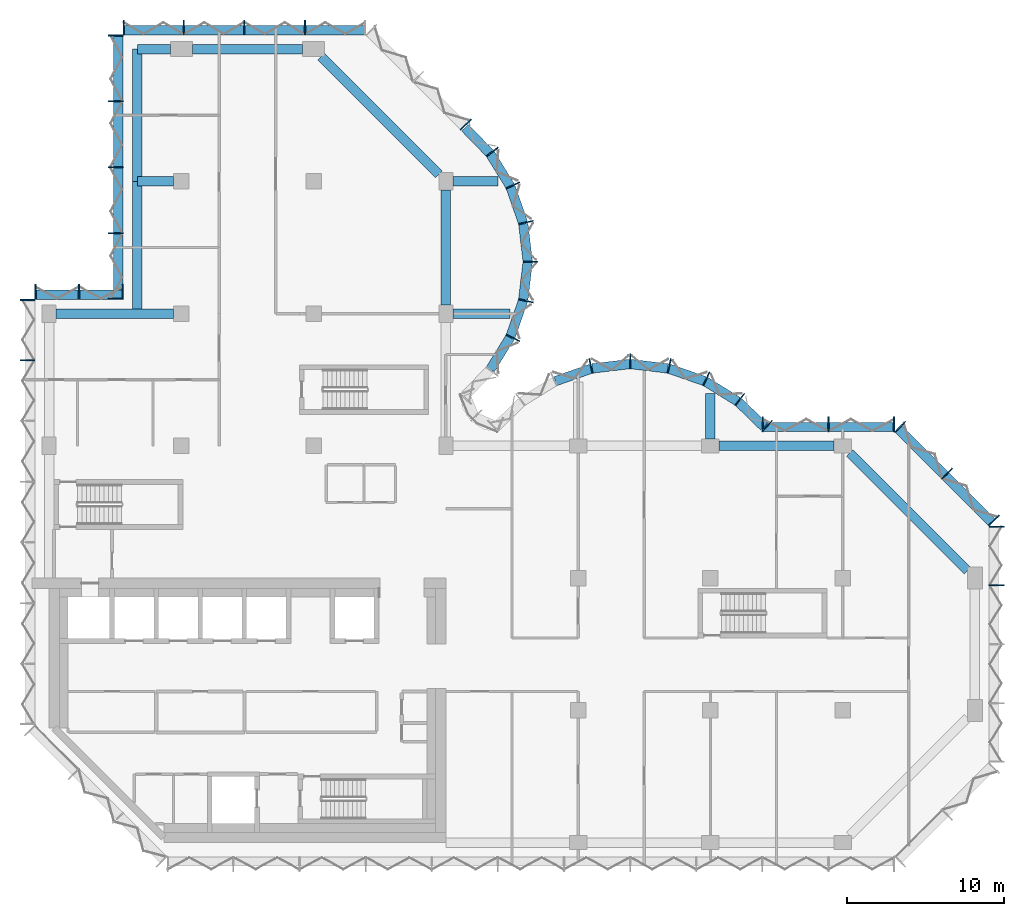
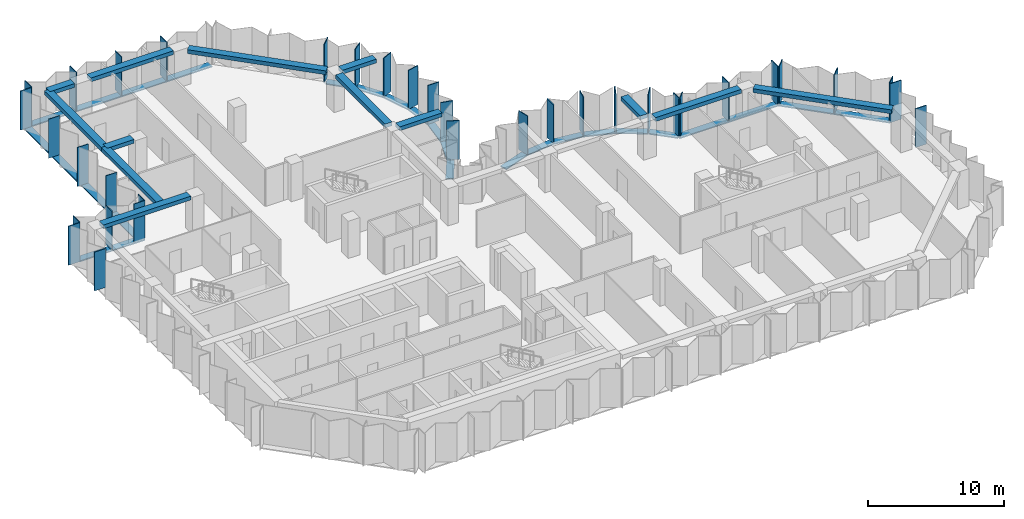
# One storey, part 2 of 10: 53 members, 13 beams, 9 elements without a shape of their own.
"""IFC4 building model written with IfcOpenShell, lengths in metres."""

from ifc_helpers import new_model, si_unit, direction, frame, origin, origin_2d, place, context, subcontext, project, spatial, rectangle, extrude, material, material_profile, profile_set, type_object, element, aggregate, save


model = new_model("IFC4")

# Units and contexts
model_context = context("Model", 3, precision=1e-05, world=origin(), true_north=direction((0.0, 1.0)))
body_context = subcontext(model_context, "Body", "Model", "MODEL_VIEW")
ifc_project = project(units=[si_unit("LENGTHUNIT", "METRE"), si_unit("AREAUNIT", "SQUARE_METRE"), si_unit("VOLUMEUNIT", "CUBIC_METRE"), si_unit("PLANEANGLEUNIT", "RADIAN"), si_unit("MASSUNIT", "GRAM", prefix="KILO")], contexts=[model_context])

# Site, building, storey
site_placement = place(None, origin())
site = spatial("IfcSite", under=ifc_project, at=site_placement, CompositionType="ELEMENT")
building_placement = place(site_placement, origin())
building = spatial("IfcBuilding", under=site, at=building_placement, Name="Brevane Broadcast Tower", CompositionType="ELEMENT")
storey_placement = place(building_placement, frame((0.0, 0.0, 170.39990234375)))
storey = spatial("IfcBuildingStorey", under=building, at=storey_placement, Name="L42", CompositionType="ELEMENT", Elevation=170.39990234375)

# Curtain wall, members
ifc_material_1 = material(Name="Aluminium 6063-T6 bronze anodised", Category="aluminium")
curtain_wall_type = type_object("IfcCurtainWallType", Name="CW-1 curtain wall", PredefinedType="NOTDEFINED", material=ifc_material_1)
curtain_wall_1_placement = place(storey_placement, origin())
curtain_wall_1 = element("IfcCurtainWall", 1, at=curtain_wall_1_placement, inside=storey, type_object=curtain_wall_type, Name="CW-1 typical tilted unit L42 east end", PredefinedType="NOTDEFINED")
ifc_material_profile_1 = material_profile(ifc_material_1, rectangle(XDim=0.949951171875, YDim=0.070068359375, at=origin_2d()), Name="RECT 70x950")
ifc_profile_set_1 = profile_set([ifc_material_profile_1], Name="Aluminium 6063-T6 bronze anodised")
member_type_1 = type_object("IfcMemberType", Name="CW-1 mullion 70x950", PredefinedType="MULLION", material=ifc_profile_set_1)
member_1_placement = place(storey_placement, frame((60.175048828125, 16.35009765625, -0.14990234375), z_axis=(0.0, 0.0, 1.0), x_axis=(-1.0, 0.0, 0.0)))
member_1 = element("IfcMember", 2, at=member_1_placement, type_object=member_type_1, Name="CW-1 mullion", PredefinedType="MULLION", context=body_context, shape_type="SweptSolid", body=[
    extrude(rectangle(XDim=0.949951171875, YDim=0.070068359375, at=origin_2d()), origin(), (0.0, 0.0, 1.0), 3.5),
])
member_2_placement = place(storey_placement, frame((60.175048828125, 20.06494140625, -0.14990234375), z_axis=(0.0, 0.0, 1.0), x_axis=(-1.0, 0.0, 0.0)))
member_2 = element("IfcMember", 3, at=member_2_placement, type_object=member_type_1, Name="CW-1 mullion", PredefinedType="MULLION", context=body_context, shape_type="SweptSolid", body=[
    extrude(rectangle(XDim=0.949951171875, YDim=0.070068359375, at=origin_2d()), origin(), (0.0, 0.0, 1.0), 3.5),
])
aggregate(curtain_wall_1, [member_1, member_2])

curtain_wall_2_placement = place(storey_placement, origin())
curtain_wall_2 = element("IfcCurtainWall", 4, at=curtain_wall_2_placement, inside=storey, type_object=curtain_wall_type, Name="CW-1 typical tilted unit L42 north-east chamfer", PredefinedType="NOTDEFINED")
member_3_placement = place(storey_placement, frame((60.01123046875, 20.460693359375, -0.14990234375), z_axis=(0.0, 0.0, 1.0), x_axis=(-0.707106781187, -0.707106781187, 0.0)))
member_3 = element("IfcMember", 5, at=member_3_placement, type_object=member_type_1, Name="CW-1 mullion", PredefinedType="MULLION", context=body_context, shape_type="SweptSolid", body=[
    extrude(rectangle(XDim=0.949951171875, YDim=0.070068359375, at=origin_2d()), origin(), (0.0, 0.0, 1.0), 3.5),
])
member_4_placement = place(storey_placement, frame((57.035888671875, 23.435791015625, -0.14990234375), z_axis=(0.0, 0.0, 1.0), x_axis=(-0.707106781187, -0.707106781187, 0.0)))
member_4 = element("IfcMember", 6, at=member_4_placement, type_object=member_type_1, Name="CW-1 mullion", PredefinedType="MULLION", context=body_context, shape_type="SweptSolid", body=[
    extrude(rectangle(XDim=0.949951171875, YDim=0.070068359375, at=origin_2d()), origin(), (0.0, 0.0, 1.0), 3.5),
])
member_5_placement = place(storey_placement, frame((54.060546875, 26.4111328125, -0.14990234375), z_axis=(0.0, 0.0, 1.0), x_axis=(-0.707106781187, -0.707106781187, 0.0)))
member_5 = element("IfcMember", 7, at=member_5_placement, type_object=member_type_1, Name="CW-1 mullion", PredefinedType="MULLION", context=body_context, shape_type="SweptSolid", body=[
    extrude(rectangle(XDim=0.949951171875, YDim=0.070068359375, at=origin_2d()), origin(), (0.0, 0.0, 1.0), 3.5),
])

curtain_wall_3_placement = place(storey_placement, origin())
curtain_wall_3 = element("IfcCurtainWall", 8, at=curtain_wall_3_placement, inside=storey, type_object=curtain_wall_type, Name="CW-1 typical tilted unit L42 east arm north face", PredefinedType="NOTDEFINED")
member_6_placement = place(storey_placement, frame((53.6650390625, 26.574951171875, -0.14990234375), z_axis=(0.0, 0.0, 1.0), x_axis=(0.0, -1.0, 0.0)))
member_6 = element("IfcMember", 9, at=member_6_placement, type_object=member_type_1, Name="CW-1 mullion", PredefinedType="MULLION", context=body_context, shape_type="SweptSolid", body=[
    extrude(rectangle(XDim=0.949951171875, YDim=0.070068359375, at=origin_2d()), origin(), (0.0, 0.0, 1.0), 3.5),
])
member_7_placement = place(storey_placement, frame((49.5, 26.574951171875, -0.14990234375), z_axis=(0.0, 0.0, 1.0), x_axis=(0.0, -1.0, 0.0)))
member_7 = element("IfcMember", 10, at=member_7_placement, type_object=member_type_1, Name="CW-1 mullion", PredefinedType="MULLION", context=body_context, shape_type="SweptSolid", body=[
    extrude(rectangle(XDim=0.949951171875, YDim=0.070068359375, at=origin_2d()), origin(), (0.0, 0.0, 1.0), 3.5),
])
member_8_placement = place(storey_placement, frame((45.3349609375, 26.574951171875, -0.14990234375), z_axis=(0.0, 0.0, 1.0), x_axis=(0.0, -1.0, 0.0)))
member_8 = element("IfcMember", 11, at=member_8_placement, type_object=member_type_1, Name="CW-1 mullion", PredefinedType="MULLION", context=body_context, shape_type="SweptSolid", body=[
    extrude(rectangle(XDim=0.949951171875, YDim=0.070068359375, at=origin_2d()), origin(), (0.0, 0.0, 1.0), 3.5),
])

curtain_wall_4_placement = place(storey_placement, origin())
curtain_wall_4 = element("IfcCurtainWall", 12, at=curtain_wall_4_placement, inside=storey, type_object=curtain_wall_type, Name="CW-1 typical tilted unit L42 east bow", PredefinedType="NOTDEFINED")
member_9_placement = place(storey_placement, frame((45.60595703125, 26.465087890625, -0.14990234375), z_axis=(0.0, 0.0, 1.0), x_axis=(-0.696812089895, -0.717253728729, 0.0)))
member_9 = element("IfcMember", 13, at=member_9_placement, type_object=member_type_1, Name="CW-1 mullion", PredefinedType="MULLION", context=body_context, shape_type="SweptSolid", body=[
    extrude(rectangle(XDim=0.949951171875, YDim=0.070068359375, at=origin_2d()), origin(), (0.0, 0.0, 1.0), 3.5),
])
member_10_placement = place(storey_placement, frame((43.8720703125, 28.1455078125, -0.14990234375), z_axis=(0.0, 0.0, 1.0), x_axis=(-0.614769698862, -0.788706673841, 0.0)))
member_10 = element("IfcMember", 14, at=member_10_placement, type_object=member_type_1, Name="CW-1 mullion", PredefinedType="MULLION", context=body_context, shape_type="SweptSolid", body=[
    extrude(rectangle(XDim=0.949951171875, YDim=0.070068359375, at=origin_2d()), origin(), (0.0, 0.0, 1.0), 3.5),
])
member_11_placement = place(storey_placement, frame((41.746826171875, 29.4580078125, -0.14990234375), z_axis=(0.0, 0.0, 1.0), x_axis=(-0.429933580394, -0.902860518823, 0.0)))
member_11 = element("IfcMember", 15, at=member_11_placement, type_object=member_type_1, Name="CW-1 mullion", PredefinedType="MULLION", context=body_context, shape_type="SweptSolid", body=[
    extrude(rectangle(XDim=0.949951171875, YDim=0.070068359375, at=origin_2d()), origin(), (0.0, 0.0, 1.0), 3.5),
])
member_12_placement = place(storey_placement, frame((39.38818359375, 30.28076171875, -0.14990234375), z_axis=(0.0, 0.0, 1.0), x_axis=(-0.224806535479, -0.974403418306, 0.0)))
member_12 = element("IfcMember", 16, at=member_12_placement, type_object=member_type_1, Name="CW-1 mullion", PredefinedType="MULLION", context=body_context, shape_type="SweptSolid", body=[
    extrude(rectangle(XDim=0.949951171875, YDim=0.070068359375, at=origin_2d()), origin(), (0.0, 0.0, 1.0), 3.5),
])
member_13_placement = place(storey_placement, frame((36.89990234375, 30.574951171875, -0.14990234375), z_axis=(0.0, 0.0, 1.0), x_axis=(0.0, -1.0, 0.0)))
member_13 = element("IfcMember", 17, at=member_13_placement, type_object=member_type_1, Name="CW-1 mullion", PredefinedType="MULLION", context=body_context, shape_type="SweptSolid", body=[
    extrude(rectangle(XDim=0.949951171875, YDim=0.070068359375, at=origin_2d()), origin(), (0.0, 0.0, 1.0), 3.5),
])
member_14_placement = place(storey_placement, frame((34.411865234375, 30.28076171875, -0.14990234375), z_axis=(0.0, 0.0, 1.0), x_axis=(0.224806535479, -0.974403418306, 0.0)))
member_14 = element("IfcMember", 18, at=member_14_placement, type_object=member_type_1, Name="CW-1 mullion", PredefinedType="MULLION", context=body_context, shape_type="SweptSolid", body=[
    extrude(rectangle(XDim=0.949951171875, YDim=0.070068359375, at=origin_2d()), origin(), (0.0, 0.0, 1.0), 3.5),
])

curtain_wall_5_placement = place(storey_placement, origin())
curtain_wall_5 = element("IfcCurtainWall", 19, at=curtain_wall_5_placement, inside=storey, type_object=curtain_wall_type, Name="CW-1 typical tilted unit L42 north bow", PredefinedType="NOTDEFINED")
member_15_placement = place(storey_placement, frame((29.4580078125, 32.05322265625, -0.14990234375), z_axis=(0.0, 0.0, 1.0), x_axis=(-0.902860518823, 0.429933580394, 0.0)))
member_15 = element("IfcMember", 20, at=member_15_placement, type_object=member_type_1, Name="CW-1 mullion", PredefinedType="MULLION", context=body_context, shape_type="SweptSolid", body=[
    extrude(rectangle(XDim=0.949951171875, YDim=0.070068359375, at=origin_2d()), origin(), (0.0, 0.0, 1.0), 3.5),
])
member_16_placement = place(storey_placement, frame((30.28076171875, 34.411865234375, -0.14990234375), z_axis=(0.0, 0.0, 1.0), x_axis=(-0.974403418306, 0.224806535479, 0.0)))
member_16 = element("IfcMember", 21, at=member_16_placement, type_object=member_type_1, Name="CW-1 mullion", PredefinedType="MULLION", context=body_context, shape_type="SweptSolid", body=[
    extrude(rectangle(XDim=0.949951171875, YDim=0.070068359375, at=origin_2d()), origin(), (0.0, 0.0, 1.0), 3.5),
])
member_17_placement = place(storey_placement, frame((30.574951171875, 36.89990234375, -0.14990234375), z_axis=(0.0, 0.0, 1.0), x_axis=(-1.0, 0.0, 0.0)))
member_17 = element("IfcMember", 22, at=member_17_placement, type_object=member_type_1, Name="CW-1 mullion", PredefinedType="MULLION", context=body_context, shape_type="SweptSolid", body=[
    extrude(rectangle(XDim=0.949951171875, YDim=0.070068359375, at=origin_2d()), origin(), (0.0, 0.0, 1.0), 3.5),
])
member_18_placement = place(storey_placement, frame((30.28076171875, 39.38818359375, -0.14990234375), z_axis=(0.0, 0.0, 1.0), x_axis=(-0.974403418306, -0.224806535479, 0.0)))
member_18 = element("IfcMember", 23, at=member_18_placement, type_object=member_type_1, Name="CW-1 mullion", PredefinedType="MULLION", context=body_context, shape_type="SweptSolid", body=[
    extrude(rectangle(XDim=0.949951171875, YDim=0.070068359375, at=origin_2d()), origin(), (0.0, 0.0, 1.0), 3.5),
])
member_19_placement = place(storey_placement, frame((29.4580078125, 41.746826171875, -0.14990234375), z_axis=(0.0, 0.0, 1.0), x_axis=(-0.902860518823, -0.429933580394, 0.0)))
member_19 = element("IfcMember", 24, at=member_19_placement, type_object=member_type_1, Name="CW-1 mullion", PredefinedType="MULLION", context=body_context, shape_type="SweptSolid", body=[
    extrude(rectangle(XDim=0.949951171875, YDim=0.070068359375, at=origin_2d()), origin(), (0.0, 0.0, 1.0), 3.5),
])
member_20_placement = place(storey_placement, frame((28.1455078125, 43.8720703125, -0.14990234375), z_axis=(0.0, 0.0, 1.0), x_axis=(-0.788706673841, -0.614769698862, 0.0)))
member_20 = element("IfcMember", 25, at=member_20_placement, type_object=member_type_1, Name="CW-1 mullion", PredefinedType="MULLION", context=body_context, shape_type="SweptSolid", body=[
    extrude(rectangle(XDim=0.949951171875, YDim=0.070068359375, at=origin_2d()), origin(), (0.0, 0.0, 1.0), 3.5),
])
member_21_placement = place(storey_placement, frame((26.465087890625, 45.60595703125, -0.14990234375), z_axis=(0.0, 0.0, 1.0), x_axis=(-0.717253728729, -0.696812089895, 0.0)))
member_21 = element("IfcMember", 26, at=member_21_placement, type_object=member_type_1, Name="CW-1 mullion", PredefinedType="MULLION", context=body_context, shape_type="SweptSolid", body=[
    extrude(rectangle(XDim=0.949951171875, YDim=0.070068359375, at=origin_2d()), origin(), (0.0, 0.0, 1.0), 3.5),
])

curtain_wall_6_placement = place(storey_placement, origin())
curtain_wall_6 = element("IfcCurtainWall", 27, at=curtain_wall_6_placement, inside=storey, type_object=curtain_wall_type, Name="CW-1 typical tilted unit L42 north end", PredefinedType="NOTDEFINED")
member_22_placement = place(storey_placement, frame((16.25, 51.77490234375, -0.14990234375), z_axis=(0.0, 0.0, 1.0), x_axis=(0.0, -1.0, 0.0)))
member_22 = element("IfcMember", 28, at=member_22_placement, type_object=member_type_1, Name="CW-1 mullion", PredefinedType="MULLION", context=body_context, shape_type="SweptSolid", body=[
    extrude(rectangle(XDim=0.949951171875, YDim=0.070068359375, at=origin_2d()), origin(), (0.0, 0.0, 1.0), 3.5),
])
member_23_placement = place(storey_placement, frame((12.39990234375, 51.77490234375, -0.14990234375), z_axis=(0.0, 0.0, 1.0), x_axis=(0.0, -1.0, 0.0)))
member_23 = element("IfcMember", 29, at=member_23_placement, type_object=member_type_1, Name="CW-1 mullion", PredefinedType="MULLION", context=body_context, shape_type="SweptSolid", body=[
    extrude(rectangle(XDim=0.949951171875, YDim=0.070068359375, at=origin_2d()), origin(), (0.0, 0.0, 1.0), 3.5),
])
member_24_placement = place(storey_placement, frame((8.550048828125, 51.77490234375, -0.14990234375), z_axis=(0.0, 0.0, 1.0), x_axis=(0.0, -1.0, 0.0)))
member_24 = element("IfcMember", 30, at=member_24_placement, type_object=member_type_1, Name="CW-1 mullion", PredefinedType="MULLION", context=body_context, shape_type="SweptSolid", body=[
    extrude(rectangle(XDim=0.949951171875, YDim=0.070068359375, at=origin_2d()), origin(), (0.0, 0.0, 1.0), 3.5),
])
member_25_placement = place(storey_placement, frame((4.735107421875, 51.77490234375, -0.14990234375), z_axis=(0.0, 0.0, 1.0), x_axis=(0.0, -1.0, 0.0)))
member_25 = element("IfcMember", 31, at=member_25_placement, type_object=member_type_1, Name="CW-1 mullion", PredefinedType="MULLION", context=body_context, shape_type="SweptSolid", body=[
    extrude(rectangle(XDim=0.949951171875, YDim=0.070068359375, at=origin_2d()), origin(), (0.0, 0.0, 1.0), 3.5),
])

curtain_wall_7_placement = place(storey_placement, origin())
curtain_wall_7 = element("IfcCurtainWall", 32, at=curtain_wall_7_placement, inside=storey, type_object=curtain_wall_type, Name="CW-1 typical tilted unit L42 north wing west face, lower block", PredefinedType="NOTDEFINED")
member_26_placement = place(storey_placement, frame((4.22509765625, 51.264892578125, -0.14990234375), z_axis=(0.0, 0.0, 1.0), x_axis=(1.0, 0.0, 0.0)))
member_26 = element("IfcMember", 33, at=member_26_placement, type_object=member_type_1, Name="CW-1 mullion", PredefinedType="MULLION", context=body_context, shape_type="SweptSolid", body=[
    extrude(rectangle(XDim=0.949951171875, YDim=0.070068359375, at=origin_2d()), origin(), (0.0, 0.0, 1.0), 3.5),
])
member_27_placement = place(storey_placement, frame((4.22509765625, 47.10009765625, -0.14990234375), z_axis=(0.0, 0.0, 1.0), x_axis=(1.0, 0.0, 0.0)))
member_27 = element("IfcMember", 34, at=member_27_placement, type_object=member_type_1, Name="CW-1 mullion", PredefinedType="MULLION", context=body_context, shape_type="SweptSolid", body=[
    extrude(rectangle(XDim=0.949951171875, YDim=0.070068359375, at=origin_2d()), origin(), (0.0, 0.0, 1.0), 3.5),
])
member_28_placement = place(storey_placement, frame((4.22509765625, 42.89990234375, -0.14990234375), z_axis=(0.0, 0.0, 1.0), x_axis=(1.0, 0.0, 0.0)))
member_28 = element("IfcMember", 35, at=member_28_placement, type_object=member_type_1, Name="CW-1 mullion", PredefinedType="MULLION", context=body_context, shape_type="SweptSolid", body=[
    extrude(rectangle(XDim=0.949951171875, YDim=0.070068359375, at=origin_2d()), origin(), (0.0, 0.0, 1.0), 3.5),
])
member_29_placement = place(storey_placement, frame((4.22509765625, 38.699951171875, -0.14990234375), z_axis=(0.0, 0.0, 1.0), x_axis=(1.0, 0.0, 0.0)))
member_29 = element("IfcMember", 36, at=member_29_placement, type_object=member_type_1, Name="CW-1 mullion", PredefinedType="MULLION", context=body_context, shape_type="SweptSolid", body=[
    extrude(rectangle(XDim=0.949951171875, YDim=0.070068359375, at=origin_2d()), origin(), (0.0, 0.0, 1.0), 3.5),
])
member_30_placement = place(storey_placement, frame((4.22509765625, 34.534912109375, -0.14990234375), z_axis=(0.0, 0.0, 1.0), x_axis=(1.0, 0.0, 0.0)))
member_30 = element("IfcMember", 37, at=member_30_placement, type_object=member_type_1, Name="CW-1 mullion", PredefinedType="MULLION", context=body_context, shape_type="SweptSolid", body=[
    extrude(rectangle(XDim=0.949951171875, YDim=0.070068359375, at=origin_2d()), origin(), (0.0, 0.0, 1.0), 3.5),
])

curtain_wall_8_placement = place(storey_placement, origin())
curtain_wall_8 = element("IfcCurtainWall", 38, at=curtain_wall_8_placement, inside=storey, type_object=curtain_wall_type, Name="CW-1 typical tilted unit L42 north wing west return, lower block", PredefinedType="NOTDEFINED")
member_31_placement = place(storey_placement, frame((4.6650390625, 34.97509765625, -0.14990234375), z_axis=(0.0, 0.0, 1.0), x_axis=(0.0, -1.0, 0.0)))
member_31 = element("IfcMember", 39, at=member_31_placement, type_object=member_type_1, Name="CW-1 mullion", PredefinedType="MULLION", context=body_context, shape_type="SweptSolid", body=[
    extrude(rectangle(XDim=0.949951171875, YDim=0.070068359375, at=origin_2d()), origin(), (0.0, 0.0, 1.0), 3.5),
])
member_32_placement = place(storey_placement, frame((1.89990234375, 34.97509765625, -0.14990234375), z_axis=(0.0, 0.0, 1.0), x_axis=(0.0, -1.0, 0.0)))
member_32 = element("IfcMember", 40, at=member_32_placement, type_object=member_type_1, Name="CW-1 mullion", PredefinedType="MULLION", context=body_context, shape_type="SweptSolid", body=[
    extrude(rectangle(XDim=0.949951171875, YDim=0.070068359375, at=origin_2d()), origin(), (0.0, 0.0, 1.0), 3.5),
])
member_33_placement = place(storey_placement, frame((-0.864990234375, 34.97509765625, -0.14990234375), z_axis=(0.0, 0.0, 1.0), x_axis=(0.0, -1.0, 0.0)))
member_33 = element("IfcMember", 41, at=member_33_placement, type_object=member_type_1, Name="CW-1 mullion", PredefinedType="MULLION", context=body_context, shape_type="SweptSolid", body=[
    extrude(rectangle(XDim=0.949951171875, YDim=0.070068359375, at=origin_2d()), origin(), (0.0, 0.0, 1.0), 3.5),
])

curtain_wall_9_placement = place(storey_placement, origin())
curtain_wall_9 = element("IfcCurtainWall", 42, at=curtain_wall_9_placement, inside=storey, type_object=curtain_wall_type, Name="CW-1 typical tilted unit L42 west face", PredefinedType="NOTDEFINED")
member_34_placement = place(storey_placement, frame((-1.375, 34.465087890625, -0.14990234375), z_axis=(0.0, 0.0, 1.0), x_axis=(1.0, 0.0, 0.0)))
member_34 = element("IfcMember", 43, at=member_34_placement, type_object=member_type_1, Name="CW-1 mullion", PredefinedType="MULLION", context=body_context, shape_type="SweptSolid", body=[
    extrude(rectangle(XDim=0.949951171875, YDim=0.070068359375, at=origin_2d()), origin(), (0.0, 0.0, 1.0), 3.5),
])
member_35_placement = place(storey_placement, frame((-1.375, 30.642822265625, -0.14990234375), z_axis=(0.0, 0.0, 1.0), x_axis=(1.0, 0.0, 0.0)))
member_35 = element("IfcMember", 44, at=member_35_placement, type_object=member_type_1, Name="CW-1 mullion", PredefinedType="MULLION", context=body_context, shape_type="SweptSolid", body=[
    extrude(rectangle(XDim=0.949951171875, YDim=0.070068359375, at=origin_2d()), origin(), (0.0, 0.0, 1.0), 3.5),
])
aggregate(curtain_wall_9, [member_34, member_35])

# Member
ifc_material_profile_2 = material_profile(ifc_material_1, rectangle(XDim=0.60009765625, YDim=0.10009765625, at=origin_2d()), Name="RECT 100x600")
ifc_profile_set_2 = profile_set([ifc_material_profile_2], Name="Aluminium 6063-T6 bronze anodised")
member_type_2 = type_object("IfcMemberType", Name="CW-1 transom 100x600", PredefinedType="USERDEFINED", material=ifc_profile_set_2)
member_36_placement = place(storey_placement, frame((59.912109375, 20.31201171875, -0.199951171875), z_axis=(-0.707106781187, 0.707106781187, 0.0), x_axis=(-0.707106781187, -0.707106781187, 0.0)))
member_36 = element("IfcMember", 45, at=member_36_placement, type_object=member_type_2, Name="CW-1 transom", ObjectType="TRANSOM", PredefinedType="USERDEFINED", context=body_context, shape_type="SweptSolid", body=[
    extrude(rectangle(XDim=0.60009765625, YDim=0.10009765625, at=origin_2d()), origin(), (0.0, 0.0, 1.0), 8.4853515625),
])

aggregate(curtain_wall_2, [member_3, member_4, member_5, member_36])

member_37_placement = place(storey_placement, frame((53.699951171875, 26.39990234375, -0.199951171875), z_axis=(-1.0, 0.0, 0.0), x_axis=(0.0, -1.0, 0.0)))
member_37 = element("IfcMember", 46, at=member_37_placement, type_object=member_type_2, Name="CW-1 transom", ObjectType="TRANSOM", PredefinedType="USERDEFINED", context=body_context, shape_type="SweptSolid", body=[
    extrude(rectangle(XDim=0.60009765625, YDim=0.10009765625, at=origin_2d()), origin(), (0.0, 0.0, 1.0), 8.39990234375),
])

aggregate(curtain_wall_3, [member_6, member_7, member_8, member_37])

member_38_placement = place(storey_placement, frame((45.412841796875, 26.407958984375, -0.199951171875), z_axis=(-0.71724215871, 0.696823999134, 0.0), x_axis=(-0.696823999134, -0.71724215871, 0.0)))
member_38 = element("IfcMember", 47, at=member_38_placement, type_object=member_type_2, Name="CW-1 transom", ObjectType="TRANSOM", PredefinedType="USERDEFINED", context=body_context, shape_type="SweptSolid", body=[
    extrude(rectangle(XDim=0.60009765625, YDim=0.10009765625, at=origin_2d()), origin(), (0.0, 0.0, 1.0), 2.247802734375),
])

member_39_placement = place(storey_placement, frame((43.7421875, 28.023193359375, -0.199951171875), z_axis=(-0.850810063131, 0.525473345162, 0.0), x_axis=(-0.525473345162, -0.850810063131, 0.0)))
member_39 = element("IfcMember", 48, at=member_39_placement, type_object=member_type_2, Name="CW-1 transom", ObjectType="TRANSOM", PredefinedType="USERDEFINED", context=body_context, shape_type="SweptSolid", body=[
    extrude(rectangle(XDim=0.60009765625, YDim=0.10009765625, at=origin_2d()), origin(), (0.0, 0.0, 1.0), 2.39453125),
])

member_40_placement = place(storey_placement, frame((41.63623046875, 29.314208984375, -0.199951171875), z_axis=(-0.944197969542, 0.329378497041, 0.0), x_axis=(-0.329378497041, -0.944197969542, 0.0)))
member_40 = element("IfcMember", 49, at=member_40_placement, type_object=member_type_2, Name="CW-1 transom", ObjectType="TRANSOM", PredefinedType="USERDEFINED", context=body_context, shape_type="SweptSolid", body=[
    extrude(rectangle(XDim=0.60009765625, YDim=0.10009765625, at=origin_2d()), origin(), (0.0, 0.0, 1.0), 2.394775390625),
])

member_41_placement = place(storey_placement, frame((39.30029296875, 30.117431640625, -0.199951171875), z_axis=(-0.993062061831, 0.117591417, 0.0), x_axis=(-0.117591417, -0.993062061831, 0.0)))
member_41 = element("IfcMember", 50, at=member_41_placement, type_object=member_type_2, Name="CW-1 transom", ObjectType="TRANSOM", PredefinedType="USERDEFINED", context=body_context, shape_type="SweptSolid", body=[
    extrude(rectangle(XDim=0.60009765625, YDim=0.10009765625, at=origin_2d()), origin(), (0.0, 0.0, 1.0), 2.39794921875),
])

member_42_placement = place(storey_placement, frame((36.880859375, 30.3994140625, -0.199951171875), z_axis=(-0.993060653805, -0.117603307202, 0.0), x_axis=(0.117603307202, -0.993060653805, 0.0)))
member_42 = element("IfcMember", 51, at=member_42_placement, type_object=member_type_2, Name="CW-1 transom", ObjectType="TRANSOM", PredefinedType="USERDEFINED", context=body_context, shape_type="SweptSolid", body=[
    extrude(rectangle(XDim=0.60009765625, YDim=0.10009765625, at=origin_2d()), origin(), (0.0, 0.0, 1.0), 2.397705078125),
])

member_43_placement = place(storey_placement, frame((34.425048828125, 30.10302734375, -0.199951171875), z_axis=(-0.944197969542, -0.329378497041, 0.0), x_axis=(0.329378497041, -0.944197969542, 0.0)))
member_43 = element("IfcMember", 52, at=member_43_placement, type_object=member_type_2, Name="CW-1 transom", ObjectType="TRANSOM", PredefinedType="USERDEFINED", context=body_context, shape_type="SweptSolid", body=[
    extrude(rectangle(XDim=0.60009765625, YDim=0.10009765625, at=origin_2d()), origin(), (0.0, 0.0, 1.0), 2.394775390625),
])

aggregate(curtain_wall_4, [member_9, member_10, member_11, member_12, member_13, member_14, member_38, member_39, member_40, member_41, member_42, member_43])

member_44_placement = place(storey_placement, frame((28.023193359375, 30.0576171875, -0.199951171875), z_axis=(0.525427766759, 0.850838211365, 0.0), x_axis=(-0.850838211365, 0.525427766759, 0.0)))
member_44 = element("IfcMember", 53, at=member_44_placement, type_object=member_type_2, Name="CW-1 transom", ObjectType="TRANSOM", PredefinedType="USERDEFINED", context=body_context, shape_type="SweptSolid", body=[
    extrude(rectangle(XDim=0.60009765625, YDim=0.10009765625, at=origin_2d()), origin(), (0.0, 0.0, 1.0), 2.394775390625),
])

member_45_placement = place(storey_placement, frame((29.314208984375, 32.163818359375, -0.199951171875), z_axis=(0.329378497041, 0.944197969542, 0.0), x_axis=(-0.944197969542, 0.329378497041, 0.0)))
member_45 = element("IfcMember", 54, at=member_45_placement, type_object=member_type_2, Name="CW-1 transom", ObjectType="TRANSOM", PredefinedType="USERDEFINED", context=body_context, shape_type="SweptSolid", body=[
    extrude(rectangle(XDim=0.60009765625, YDim=0.10009765625, at=origin_2d()), origin(), (0.0, 0.0, 1.0), 2.394775390625),
])

member_46_placement = place(storey_placement, frame((30.117431640625, 34.499755859375, -0.199951171875), z_axis=(0.117603307202, 0.993060653805, 0.0), x_axis=(-0.993060653805, 0.117603307202, 0.0)))
member_46 = element("IfcMember", 55, at=member_46_placement, type_object=member_type_2, Name="CW-1 transom", ObjectType="TRANSOM", PredefinedType="USERDEFINED", context=body_context, shape_type="SweptSolid", body=[
    extrude(rectangle(XDim=0.60009765625, YDim=0.10009765625, at=origin_2d()), origin(), (0.0, 0.0, 1.0), 2.397705078125),
])

member_47_placement = place(storey_placement, frame((30.3994140625, 36.9189453125, -0.199951171875), z_axis=(-0.117591417, 0.993062061831, 0.0), x_axis=(-0.993062061831, -0.117591417, 0.0)))
member_47 = element("IfcMember", 56, at=member_47_placement, type_object=member_type_2, Name="CW-1 transom", ObjectType="TRANSOM", PredefinedType="USERDEFINED", context=body_context, shape_type="SweptSolid", body=[
    extrude(rectangle(XDim=0.60009765625, YDim=0.10009765625, at=origin_2d()), origin(), (0.0, 0.0, 1.0), 2.39794921875),
])

member_48_placement = place(storey_placement, frame((30.10302734375, 39.375, -0.199951171875), z_axis=(-0.329378497041, 0.944197969542, 0.0), x_axis=(-0.944197969542, -0.329378497041, 0.0)))
member_48 = element("IfcMember", 57, at=member_48_placement, type_object=member_type_2, Name="CW-1 transom", ObjectType="TRANSOM", PredefinedType="USERDEFINED", context=body_context, shape_type="SweptSolid", body=[
    extrude(rectangle(XDim=0.60009765625, YDim=0.10009765625, at=origin_2d()), origin(), (0.0, 0.0, 1.0), 2.394775390625),
])

member_49_placement = place(storey_placement, frame((29.281494140625, 41.704833984375, -0.199951171875), z_axis=(-0.525473345162, 0.850810063131, 0.0), x_axis=(-0.850810063131, -0.525473345162, 0.0)))
member_49 = element("IfcMember", 58, at=member_49_placement, type_object=member_type_2, Name="CW-1 transom", ObjectType="TRANSOM", PredefinedType="USERDEFINED", context=body_context, shape_type="SweptSolid", body=[
    extrude(rectangle(XDim=0.60009765625, YDim=0.10009765625, at=origin_2d()), origin(), (0.0, 0.0, 1.0), 2.39453125),
])

member_50_placement = place(storey_placement, frame((27.974365234375, 43.800537109375, -0.199951171875), z_axis=(-0.696823999134, 0.71724215871, 0.0), x_axis=(-0.71724215871, -0.696823999134, 0.0)))
member_50 = element("IfcMember", 59, at=member_50_placement, type_object=member_type_2, Name="CW-1 transom", ObjectType="TRANSOM", PredefinedType="USERDEFINED", context=body_context, shape_type="SweptSolid", body=[
    extrude(rectangle(XDim=0.60009765625, YDim=0.10009765625, at=origin_2d()), origin(), (0.0, 0.0, 1.0), 2.247802734375),
])

aggregate(curtain_wall_5, [member_15, member_16, member_17, member_18, member_19, member_20, member_21, member_44, member_45, member_46, member_47, member_48, member_49, member_50])

member_51_placement = place(storey_placement, frame((20.10009765625, 51.60009765625, -0.199951171875), z_axis=(-1.0, 0.0, 0.0), x_axis=(0.0, -1.0, 0.0)))
member_51 = element("IfcMember", 60, at=member_51_placement, type_object=member_type_2, Name="CW-1 transom", ObjectType="TRANSOM", PredefinedType="USERDEFINED", context=body_context, shape_type="SweptSolid", body=[
    extrude(rectangle(XDim=0.60009765625, YDim=0.10009765625, at=origin_2d()), origin(), (0.0, 0.0, 1.0), 15.400146484375),
])

aggregate(curtain_wall_6, [member_22, member_23, member_24, member_25, member_51])

member_52_placement = place(storey_placement, frame((4.39990234375, 51.300048828125, -0.199951171875), z_axis=(0.0, -1.0, 0.0), x_axis=(1.0, 0.0, 0.0)))
member_52 = element("IfcMember", 61, at=member_52_placement, type_object=member_type_2, Name="CW-1 transom", ObjectType="TRANSOM", PredefinedType="USERDEFINED", context=body_context, shape_type="SweptSolid", body=[
    extrude(rectangle(XDim=0.60009765625, YDim=0.10009765625, at=origin_2d()), origin(), (0.0, 0.0, 1.0), 16.800048828125),
])

aggregate(curtain_wall_7, [member_26, member_27, member_28, member_29, member_30, member_52])

member_53_placement = place(storey_placement, frame((4.699951171875, 34.800048828125, -0.199951171875), z_axis=(-1.0, 0.0, 0.0), x_axis=(0.0, -1.0, 0.0)))
member_53 = element("IfcMember", 62, at=member_53_placement, type_object=member_type_2, Name="CW-1 transom", ObjectType="TRANSOM", PredefinedType="USERDEFINED", context=body_context, shape_type="SweptSolid", body=[
    extrude(rectangle(XDim=0.60009765625, YDim=0.10009765625, at=origin_2d()), origin(), (0.0, 0.0, 1.0), 5.599853515625),
])

aggregate(curtain_wall_8, [member_31, member_32, member_33, member_53])

# Beams
ifc_material_2 = material(Name="Concrete C40/50", Category="concrete")
ifc_material_profile_3 = material_profile(ifc_material_2, rectangle(XDim=0.60009765625, YDim=0.35009765625, at=origin_2d()), Name="RC 600x350")
ifc_profile_set_3 = profile_set([ifc_material_profile_3], Name="Concrete C40/50")
beam_type_1 = type_object("IfcBeamType", Name="RC BRACKET BEAM 600x350 C40/50", PredefinedType="BEAM", material=ifc_profile_set_3)
beam_1_placement = place(storey_placement, frame((25.64990234375, 33.60009765625, 3.175048828125), z_axis=(1.0, 0.0, 0.0), x_axis=(0.0, 1.0, 0.0)))
element("IfcBeam", 63, at=beam_1_placement, inside=storey, type_object=beam_type_1, Name="EB2 L42-1", PredefinedType="BEAM", context=body_context, shape_type="SweptSolid", body=[
    extrude(rectangle(XDim=0.60009765625, YDim=0.35009765625, at=origin_2d()), origin(), (0.0, 0.0, 1.0), 3.612060546875),
])
for number, where, z_axis, x_axis, name in (
    (64, (25.64990234375, 42.0, 3.175048828125), (1.0, 0.0, 0.0), (0.0, 1.0, 0.0), "EB2 L42-2"),
    (65, (42.0, 25.64990234375, 3.175048828125), (0.0, 1.0, 0.0), (-1.0, 0.0, 0.0), "EB2 L42-4"),
):
    element("IfcBeam", number, at=place(storey_placement, frame(where, z_axis=z_axis, x_axis=x_axis)), inside=storey, type_object=beam_type_1, Name=name, PredefinedType="BEAM", context=body_context, shape_type="SweptSolid", body=[
        extrude(rectangle(XDim=0.60009765625, YDim=0.35009765625, at=origin_2d()), origin(), (0.0, 0.0, 1.0), 2.861572265625),
    ])
beam_2_placement = place(storey_placement, frame((7.89990234375, 42.0, 3.175048828125), z_axis=(-1.0, 0.0, 0.0), x_axis=(0.0, -1.0, 0.0)))
element("IfcBeam", 66, at=beam_2_placement, inside=storey, type_object=beam_type_1, Name="EB2 L42-5", PredefinedType="BEAM", context=body_context, shape_type="SweptSolid", body=[
    extrude(rectangle(XDim=0.60009765625, YDim=0.35009765625, at=origin_2d()), origin(), (0.0, 0.0, 1.0), 2.2998046875),
])
ifc_material_profile_4 = material_profile(ifc_material_2, rectangle(XDim=0.60009765625, YDim=0.35009765625, at=origin_2d()), Name="RC 600x350")
ifc_profile_set_4 = profile_set([ifc_material_profile_4], Name="Concrete C40/50")
beam_type_2 = type_object("IfcBeamType", Name="RC SPANDREL BEAM 600x350 C40/50", PredefinedType="SPANDREL", material=ifc_profile_set_4)
beam_3_placement = place(storey_placement, frame((58.324951171875, 17.27490234375, 3.175048828125), z_axis=(-0.707095233664, 0.707118328521, 0.0), x_axis=(-0.707118328521, -0.707095233664, 0.0)))
element("IfcBeam", 67, at=beam_3_placement, inside=storey, type_object=beam_type_2, Name="EB1 L42-6", PredefinedType="SPANDREL", context=body_context, shape_type="SweptSolid", body=[
    extrude(rectangle(XDim=0.60009765625, YDim=0.35009765625, at=origin_2d()), origin(), (0.0, 0.0, 1.0), 10.5712890625),
])
for number, where, z_axis, x_axis, name in (
    (68, (49.85009765625, 25.199951171875, 3.175048828125), (-1.0, 0.0, 0.0), (0.0, -1.0, 0.0), "EB1 L42-7"),
    (69, (25.199951171875, 34.14990234375, 3.175048828125), (0.0, 1.0, 0.0), (-1.0, 0.0, 0.0), "EB1 L42-11"),
):
    element("IfcBeam", number, at=place(storey_placement, frame(where, z_axis=z_axis, x_axis=x_axis)), inside=storey, type_object=beam_type_2, Name=name, PredefinedType="SPANDREL", context=body_context, shape_type="SweptSolid", body=[
        extrude(rectangle(XDim=0.60009765625, YDim=0.35009765625, at=origin_2d()), origin(), (0.0, 0.0, 1.0), 7.300048828125),
    ])
beam_4_placement = place(storey_placement, frame((24.75, 42.449951171875, 3.175048828125), z_axis=(-0.707106781187, 0.707106781187, 0.0), x_axis=(-0.707106781187, -0.707106781187, 0.0)))
element("IfcBeam", 70, at=beam_4_placement, inside=storey, type_object=beam_type_2, Name="EB1 L42-12", PredefinedType="SPANDREL", context=body_context, shape_type="SweptSolid", body=[
    extrude(rectangle(XDim=0.60009765625, YDim=0.35009765625, at=origin_2d()), origin(), (0.0, 0.0, 1.0), 10.5712890625),
])
beam_5_placement = place(storey_placement, frame((16.10009765625, 50.39990234375, 3.175048828125), z_axis=(-1.0, 0.0, 0.0), x_axis=(0.0, -1.0, 0.0)))
element("IfcBeam", 71, at=beam_5_placement, inside=storey, type_object=beam_type_2, Name="EB1 L42-13", PredefinedType="SPANDREL", context=body_context, shape_type="SweptSolid", body=[
    extrude(rectangle(XDim=0.60009765625, YDim=0.35009765625, at=origin_2d()), origin(), (0.0, 0.0, 1.0), 7.0),
])
beam_6_placement = place(storey_placement, frame((0.449951171875, 33.60009765625, 3.175048828125), z_axis=(1.0, 0.0, 0.0), x_axis=(0.0, 1.0, 0.0)))
element("IfcBeam", 72, at=beam_6_placement, inside=storey, type_object=beam_type_2, Name="EB1 L42-16", PredefinedType="SPANDREL", context=body_context, shape_type="SweptSolid", body=[
    extrude(rectangle(XDim=0.60009765625, YDim=0.35009765625, at=origin_2d()), origin(), (0.0, 0.0, 1.0), 7.449951171875),
])
for number, where, z_axis, x_axis, name in (
    (73, (5.60009765625, 33.60009765625, 3.175048828125), (0.0, 1.0, 0.0), (-1.0, 0.0, 0.0), "EB1 L42-17"),
    (74, (5.60009765625, 42.0, 3.175048828125), (0.0, 1.0, 0.0), (-1.0, 0.0, 0.0), "EB1 L42-18"),
):
    element("IfcBeam", number, at=place(storey_placement, frame(where, z_axis=z_axis, x_axis=x_axis)), inside=storey, type_object=beam_type_2, Name=name, PredefinedType="SPANDREL", context=body_context, shape_type="SweptSolid", body=[
        extrude(rectangle(XDim=0.60009765625, YDim=0.35009765625, at=origin_2d()), origin(), (0.0, 0.0, 1.0), 8.39990234375),
    ])
beam_7_placement = place(storey_placement, frame((5.60009765625, 50.39990234375, 3.175048828125), z_axis=(1.0, 0.0, 0.0), x_axis=(0.0, 1.0, 0.0)))
element("IfcBeam", 75, at=beam_7_placement, inside=storey, type_object=beam_type_2, Name="EB1 L42-19", PredefinedType="SPANDREL", context=body_context, shape_type="SweptSolid", body=[
    extrude(rectangle(XDim=0.60009765625, YDim=0.35009765625, at=origin_2d()), origin(), (0.0, 0.0, 1.0), 2.099853515625),
])

save(model, "model.ifc")
